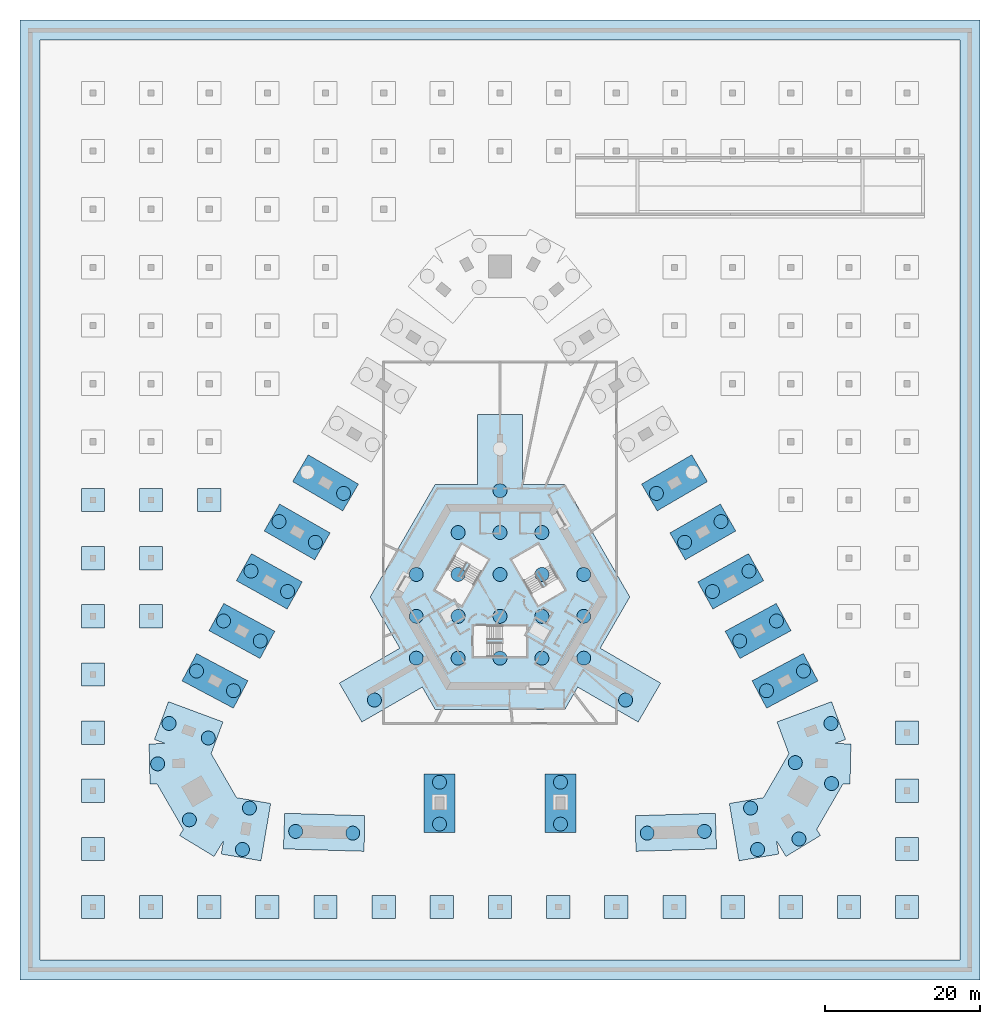
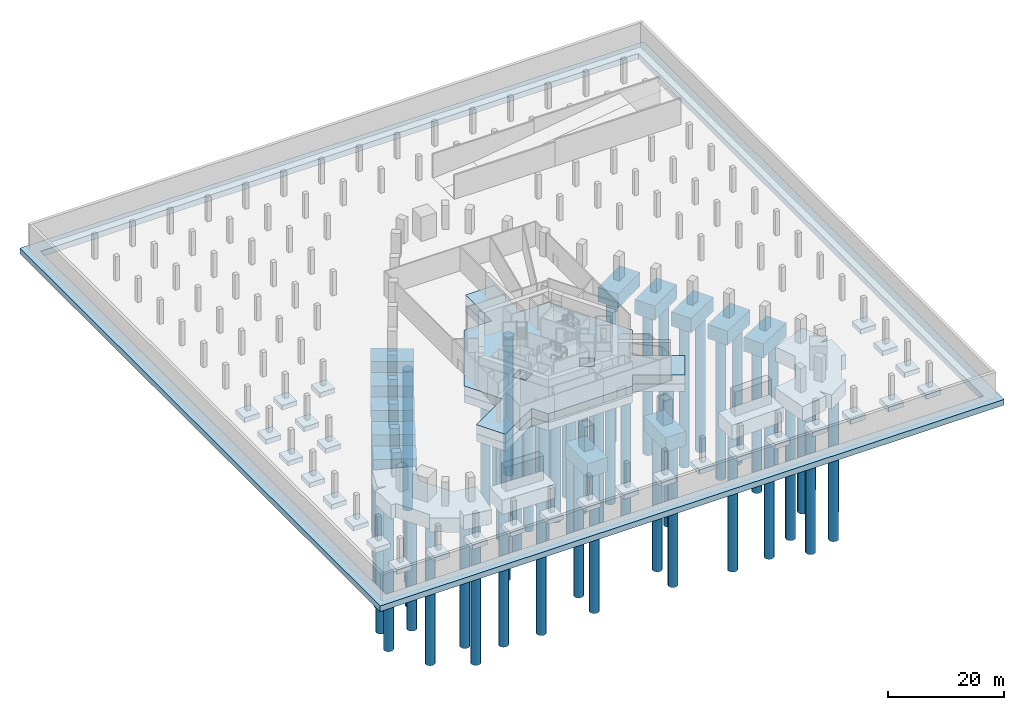
# One storey, part 1 of 14: 59 piles, 48 footings.
"""IFC4 building model written with IfcOpenShell, lengths in metres."""

from ifc_helpers import new_model, si_unit, direction, frame, origin, origin_2d, place, context, subcontext, project, spatial, polyline, circle, outline, extrude, material, layer, layer_set, material_profile, profile_set, type_object, element, save


model = new_model("IFC4")

# Units and contexts
model_context = context("Model", 3, precision=1e-05, world=origin(), true_north=direction((0.0, 1.0)))
body_context = subcontext(model_context, "Body", "Model", "MODEL_VIEW")
ifc_project = project(units=[si_unit("LENGTHUNIT", "METRE"), si_unit("AREAUNIT", "SQUARE_METRE"), si_unit("VOLUMEUNIT", "CUBIC_METRE"), si_unit("PLANEANGLEUNIT", "RADIAN"), si_unit("MASSUNIT", "GRAM", prefix="KILO")], contexts=[model_context])

# Site, building, storey
site_placement = place(None, origin())
site = spatial("IfcSite", under=ifc_project, at=site_placement, CompositionType="ELEMENT")
building_placement = place(site_placement, origin())
building = spatial("IfcBuilding", under=site, at=building_placement, Name="Entoto Arch Interchange Tower", CompositionType="ELEMENT")
storey_placement = place(building_placement, frame((0.0, 0.0, -16.5)))
storey = spatial("IfcBuildingStorey", under=building, at=storey_placement, Name="B3", CompositionType="ELEMENT", Elevation=-16.5)

# Piles
ifc_material = material(Name="Concrete C35/45", Category="concrete")
ifc_material_profile = material_profile(ifc_material, circle(Radius=0.89990234375, at=origin_2d()))
ifc_profile_set = profile_set([ifc_material_profile], Name="Concrete C35/45")
pile_type = type_object("IfcPileType", Name="Bored pile D1800 C35/45", PredefinedType="BORED", material=ifc_profile_set)
for number, where, z_axis, x_axis, name in (
    (1, (-16.199951171875, -10.800048828125, -3.35009765625), (0.0, 0.0, -1.0), (1.0, 0.0, 0.0), "Bored pile P001 (RAFT)"),
    (2, (16.199951171875, -10.800048828125, -3.35009765625), (0.0, 0.0, -1.0), (1.0, 0.0, 0.0), "Bored pile P002 (RAFT)"),
    (3, (-10.800048828125, -5.39990234375, -3.35009765625), (0.0, 0.0, -1.0), (1.0, 0.0, 0.0), "Bored pile P003 (RAFT)"),
    (4, (-5.39990234375, -5.39990234375, -3.35009765625), (0.0, 0.0, -1.0), (1.0, 0.0, 0.0), "Bored pile P004 (RAFT)"),
    (5, (0.0, -5.39990234375, -3.35009765625), (0.0, 0.0, -1.0), (1.0, 0.0, 0.0), "Bored pile P005 (RAFT)"),
    (6, (5.39990234375, -5.39990234375, -3.35009765625), (0.0, 0.0, -1.0), (1.0, 0.0, 0.0), "Bored pile P006 (RAFT)"),
    (7, (10.800048828125, -5.39990234375, -3.35009765625), (0.0, 0.0, -1.0), (1.0, 0.0, 0.0), "Bored pile P007 (RAFT)"),
    (8, (-10.800048828125, 0.0, -3.35009765625), (0.0, 0.0, -1.0), (1.0, 0.0, 0.0), "Bored pile P008 (RAFT)"),
    (9, (-5.39990234375, 0.0, -3.35009765625), (0.0, 0.0, -1.0), (1.0, 0.0, 0.0), "Bored pile P009 (RAFT)"),
    (10, (0.0, 0.0, -3.35009765625), (0.0, 0.0, -1.0), (1.0, 0.0, 0.0), "Bored pile P010 (RAFT)"),
    (11, (5.39990234375, 0.0, -3.35009765625), (0.0, 0.0, -1.0), (1.0, 0.0, 0.0), "Bored pile P011 (RAFT)"),
    (12, (10.800048828125, 0.0, -3.35009765625), (0.0, 0.0, -1.0), (1.0, 0.0, 0.0), "Bored pile P012 (RAFT)"),
    (13, (-10.800048828125, 5.39990234375, -3.35009765625), (0.0, 0.0, -1.0), (1.0, 0.0, 0.0), "Bored pile P013 (RAFT)"),
    (14, (-5.39990234375, 5.39990234375, -3.35009765625), (0.0, 0.0, -1.0), (1.0, 0.0, 0.0), "Bored pile P014 (RAFT)"),
    (15, (0.0, 5.39990234375, -3.35009765625), (0.0, 0.0, -1.0), (1.0, 0.0, 0.0), "Bored pile P015 (RAFT)"),
    (16, (5.39990234375, 5.39990234375, -3.35009765625), (0.0, 0.0, -1.0), (1.0, 0.0, 0.0), "Bored pile P016 (RAFT)"),
    (17, (10.800048828125, 5.39990234375, -3.35009765625), (0.0, 0.0, -1.0), (1.0, 0.0, 0.0), "Bored pile P017 (RAFT)"),
    (18, (-5.39990234375, 10.800048828125, -3.35009765625), (0.0, 0.0, -1.0), (1.0, 0.0, 0.0), "Bored pile P018 (RAFT)"),
    (19, (0.0, 10.800048828125, -3.35009765625), (0.0, 0.0, -1.0), (1.0, 0.0, 0.0), "Bored pile P019 (RAFT)"),
    (20, (5.39990234375, 10.800048828125, -3.35009765625), (0.0, 0.0, -1.0), (1.0, 0.0, 0.0), "Bored pile P020 (RAFT)"),
    (21, (0.0, 16.199951171875, -3.35009765625), (0.0, 0.0, -1.0), (1.0, 0.0, 0.0), "Bored pile P021 (RAFT)"),
):
    element("IfcPile", number, at=place(storey_placement, frame(where, z_axis=z_axis, x_axis=x_axis)), inside=storey, type_object=pile_type, Name=name, PredefinedType="BORED", context=body_context, shape_type="SweptSolid", body=[
        extrude(circle(Radius=0.89990234375, at=origin_2d()), origin(), (0.0, 0.0, 1.0), 29.14990234375),
    ])
for number, where, z_axis, x_axis, name in (
    (22, (32.31103515625, -24.735107421875, -3.25), (0.0, 0.0, -1.0), (1.0, 0.0, 0.0), "Bored pile P029 (CAP-SE)"),
    (23, (33.2109375, -30.05908203125, -3.25), (0.0, 0.0, -1.0), (1.0, 0.0, 0.0), "Bored pile P030 (CAP-SE)"),
    (24, (38.553955078125, -28.718017578125, -3.25), (0.0, 0.0, -1.0), (1.0, 0.0, 0.0), "Bored pile P031 (CAP-SE)"),
    (25, (38.0810546875, -18.867919921875, -3.25), (0.0, 0.0, -1.0), (1.0, 0.0, 0.0), "Bored pile P032 (CAP-SE)"),
    (26, (42.757080078125, -21.568115234375, -3.25), (0.0, 0.0, -1.0), (1.0, 0.0, 0.0), "Bored pile P033 (CAP-SE)"),
    (27, (42.677978515625, -13.81103515625, -3.25), (0.0, 0.0, -1.0), (1.0, 0.0, 0.0), "Bored pile P034 (CAP-SE)"),
    (28, (-32.31103515625, -24.735107421875, -3.25), (0.0, 0.0, -1.0), (1.0, 0.0, 0.0), "Bored pile P035 (CAP-SW)"),
    (29, (-33.2109375, -30.05908203125, -3.25), (0.0, 0.0, -1.0), (1.0, 0.0, 0.0), "Bored pile P036 (CAP-SW)"),
    (30, (-37.615966796875, -15.69091796875, -3.25), (0.0, 0.0, -1.0), (1.0, 0.0, 0.0), "Bored pile P037 (CAP-SW)"),
    (31, (-42.677978515625, -13.81103515625, -3.25), (0.0, 0.0, -1.0), (1.0, 0.0, 0.0), "Bored pile P038 (CAP-SW)"),
    (32, (-44.14697265625, -19.030029296875, -3.25), (0.0, 0.0, -1.0), (1.0, 0.0, 0.0), "Bored pile P039 (CAP-SW)"),
    (33, (-40.056884765625, -26.243896484375, -3.25), (0.0, 0.0, -1.0), (1.0, 0.0, 0.0), "Bored pile P040 (CAP-SW)"),
    (34, (7.800048828125, -21.39990234375, -3.25), (0.0, 0.0, -1.0), (1.0, 0.0, 0.0), "Bored pile P041 (CAP-ARC-E)"),
    (35, (7.800048828125, -26.800048828125, -3.25), (0.0, 0.0, -1.0), (1.0, 0.0, 0.0), "Bored pile P042 (CAP-ARC-E)"),
    (36, (-7.800048828125, -21.39990234375, -3.25), (0.0, 0.0, -1.0), (1.0, 0.0, 0.0), "Bored pile P043 (CAP-ARC-W)"),
    (37, (-7.800048828125, -26.800048828125, -3.25), (0.0, 0.0, -1.0), (1.0, 0.0, 0.0), "Bored pile P044 (CAP-ARC-W)"),
    (38, (34.368896484375, -9.592041015625, -3.25), (0.0, 0.0, -1.0), (1.0, 0.0, 0.0), "Bored pile P045 (CAP-NE02)"),
    (39, (39.136962890625, -7.05810546875, -3.25), (0.0, 0.0, -1.0), (1.0, 0.0, 0.0), "Bored pile P046 (CAP-NE02)"),
    (40, (30.912109375, -3.179931640625, -3.25), (0.0, 0.0, -1.0), (1.0, 0.0, 0.0), "Bored pile P047 (CAP-NE03)"),
    (41, (35.654052734375, -0.597900390625, -3.25), (0.0, 0.0, -1.0), (1.0, 0.0, 0.0), "Bored pile P048 (CAP-NE03)"),
    (42, (27.39208984375, 3.197021484375, -3.25), (0.0, 0.0, -1.0), (1.0, 0.0, 0.0), "Bored pile P049 (CAP-NE04)"),
    (43, (32.10791015625, 5.826904296875, -3.25), (0.0, 0.0, -1.0), (1.0, 0.0, 0.0), "Bored pile P050 (CAP-NE04)"),
    (44, (23.81005859375, 9.5419921875, -3.25), (0.0, 0.0, -1.0), (1.0, 0.0, 0.0), "Bored pile P051 (CAP-NE05)"),
    (45, (28.5, 12.218017578125, -3.25), (0.0, 0.0, -1.0), (1.0, 0.0, 0.0), "Bored pile P052 (CAP-NE05)"),
    (46, (20.1689453125, 15.84912109375, -3.25), (0.0, 0.0, -1.0), (1.0, 0.0, 0.0), "Bored pile P053 (CAP-NE06)"),
    (47, (-20.1689453125, 15.84912109375, -3.25), (0.0, 0.0, -1.0), (1.0, 0.0, 0.0), "Bored pile P067 (CAP-NW05)"),
    (48, (-23.81005859375, 9.5419921875, -3.25), (0.0, 0.0, -1.0), (1.0, 0.0, 0.0), "Bored pile P069 (CAP-NW06)"),
    (49, (-28.5, 12.218017578125, -3.25), (0.0, 0.0, -1.0), (1.0, 0.0, 0.0), "Bored pile P070 (CAP-NW06)"),
    (50, (-27.39208984375, 3.197021484375, -3.25), (0.0, 0.0, -1.0), (1.0, 0.0, 0.0), "Bored pile P071 (CAP-NW07)"),
    (51, (-32.10791015625, 5.826904296875, -3.25), (0.0, 0.0, -1.0), (1.0, 0.0, 0.0), "Bored pile P072 (CAP-NW07)"),
    (52, (-30.912109375, -3.179931640625, -3.25), (0.0, 0.0, -1.0), (1.0, 0.0, 0.0), "Bored pile P073 (CAP-NW08)"),
    (53, (-35.654052734375, -0.597900390625, -3.25), (0.0, 0.0, -1.0), (1.0, 0.0, 0.0), "Bored pile P074 (CAP-NW08)"),
    (54, (-34.368896484375, -9.592041015625, -3.25), (0.0, 0.0, -1.0), (1.0, 0.0, 0.0), "Bored pile P075 (CAP-NW09)"),
    (55, (-39.136962890625, -7.05810546875, -3.25), (0.0, 0.0, -1.0), (1.0, 0.0, 0.0), "Bored pile P076 (CAP-NW09)"),
    (56, (-26.34912109375, -27.739990234375, -3.25), (0.0, 0.0, -1.0), (1.0, 0.0, 0.0), "Bored pile P077 (CAP-LEG-W)"),
    (57, (-18.988037109375, -27.9619140625, -3.25), (0.0, 0.0, -1.0), (1.0, 0.0, 0.0), "Bored pile P078 (CAP-LEG-W)"),
    (58, (18.988037109375, -27.9619140625, -3.25), (0.0, 0.0, -1.0), (1.0, 0.0, 0.0), "Bored pile P079 (CAP-LEG-E)"),
    (59, (26.34912109375, -27.739990234375, -3.25), (0.0, 0.0, -1.0), (1.0, 0.0, 0.0), "Bored pile P080 (CAP-LEG-E)"),
):
    element("IfcPile", number, at=place(storey_placement, frame(where, z_axis=z_axis, x_axis=x_axis)), inside=storey, type_object=pile_type, Name=name, PredefinedType="BORED", context=body_context, shape_type="SweptSolid", body=[
        extrude(circle(Radius=0.89990234375, at=origin_2d()), origin(), (0.0, 0.0, 1.0), 29.25),
    ])

# Footings
ifc_layer_1 = layer(ifc_material, 1.0)
ifc_layer_set_1 = layer_set([ifc_layer_1], Name="Concrete C35/45")
footing_type_1 = type_object("IfcFootingType", Name="Pad footing 3000 C35/45", PredefinedType="PAD_FOOTING", material=ifc_layer_set_1)
footing_1_placement = place(storey_placement, frame((0.0, 0.0, -1.39990234375)))
element("IfcFooting", 60, at=footing_1_placement, inside=storey, type_object=footing_type_1, Name="Pad footing -52.5 -37.5", PredefinedType="PAD_FOOTING", context=body_context, shape_type="SweptSolid", body=[
    extrude(outline(polyline([(-51.0, -39.0), (-51.0, -36.0), (-54.0, -36.0), (-54.0, -39.0), (-51.0, -39.0)])), origin(), (0.0, 0.0, 1.0), 1.0),
])
footing_2_placement = place(storey_placement, frame((0.0, 0.0, -1.39990234375)))
element("IfcFooting", 61, at=footing_2_placement, inside=storey, type_object=footing_type_1, Name="Pad footing -52.5 -30.0", PredefinedType="PAD_FOOTING", context=body_context, shape_type="SweptSolid", body=[
    extrude(outline(polyline([(-51.0, -31.5), (-51.0, -28.5), (-54.0, -28.5), (-54.0, -31.5), (-51.0, -31.5)])), origin(), (0.0, 0.0, 1.0), 1.0),
])
footing_3_placement = place(storey_placement, frame((0.0, 0.0, -1.39990234375)))
element("IfcFooting", 62, at=footing_3_placement, inside=storey, type_object=footing_type_1, Name="Pad footing -52.5 -22.5", PredefinedType="PAD_FOOTING", context=body_context, shape_type="SweptSolid", body=[
    extrude(outline(polyline([(-51.0, -24.0), (-51.0, -21.0), (-54.0, -21.0), (-54.0, -24.0), (-51.0, -24.0)])), origin(), (0.0, 0.0, 1.0), 1.0),
])
footing_4_placement = place(storey_placement, frame((0.0, 0.0, -1.39990234375)))
element("IfcFooting", 63, at=footing_4_placement, inside=storey, type_object=footing_type_1, Name="Pad footing -52.5 -15.0", PredefinedType="PAD_FOOTING", context=body_context, shape_type="SweptSolid", body=[
    extrude(outline(polyline([(-51.0, -16.5), (-51.0, -13.5), (-54.0, -13.5), (-54.0, -16.5), (-51.0, -16.5)])), origin(), (0.0, 0.0, 1.0), 1.0),
])
footing_5_placement = place(storey_placement, frame((0.0, 0.0, -1.39990234375)))
element("IfcFooting", 64, at=footing_5_placement, inside=storey, type_object=footing_type_1, Name="Pad footing -52.5 -7.5", PredefinedType="PAD_FOOTING", context=body_context, shape_type="SweptSolid", body=[
    extrude(outline(polyline([(-51.0, -9.0), (-51.0, -6.0), (-54.0, -6.0), (-54.0, -9.0), (-51.0, -9.0)])), origin(), (0.0, 0.0, 1.0), 1.0),
])
footing_6_placement = place(storey_placement, frame((0.0, 0.0, -1.39990234375)))
element("IfcFooting", 65, at=footing_6_placement, inside=storey, type_object=footing_type_1, Name="Pad footing -52.5 +0.0", PredefinedType="PAD_FOOTING", context=body_context, shape_type="SweptSolid", body=[
    extrude(outline(polyline([(-51.0, -1.5), (-51.0, 1.5), (-54.0, 1.5), (-54.0, -1.5), (-51.0, -1.5)])), origin(), (0.0, 0.0, 1.0), 1.0),
])
footing_7_placement = place(storey_placement, frame((0.0, 0.0, -1.39990234375)))
element("IfcFooting", 66, at=footing_7_placement, inside=storey, type_object=footing_type_1, Name="Pad footing -52.5 +7.5", PredefinedType="PAD_FOOTING", context=body_context, shape_type="SweptSolid", body=[
    extrude(outline(polyline([(-51.0, 6.0), (-51.0, 9.0), (-54.0, 9.0), (-54.0, 6.0), (-51.0, 6.0)])), origin(), (0.0, 0.0, 1.0), 1.0),
])
footing_8_placement = place(storey_placement, frame((0.0, 0.0, -1.39990234375)))
element("IfcFooting", 67, at=footing_8_placement, inside=storey, type_object=footing_type_1, Name="Pad footing -52.5 +15.0", PredefinedType="PAD_FOOTING", context=body_context, shape_type="SweptSolid", body=[
    extrude(outline(polyline([(-51.0, 13.5), (-51.0, 16.5), (-54.0, 16.5), (-54.0, 13.5), (-51.0, 13.5)])), origin(), (0.0, 0.0, 1.0), 1.0),
])
footing_9_placement = place(storey_placement, frame((0.0, 0.0, -1.39990234375)))
element("IfcFooting", 68, at=footing_9_placement, inside=storey, type_object=footing_type_1, Name="Pad footing -45.0 -37.5", PredefinedType="PAD_FOOTING", context=body_context, shape_type="SweptSolid", body=[
    extrude(outline(polyline([(-43.5, -39.0), (-43.5, -36.0), (-46.5, -36.0), (-46.5, -39.0), (-43.5, -39.0)])), origin(), (0.0, 0.0, 1.0), 1.0),
])
footing_10_placement = place(storey_placement, frame((0.0, 0.0, -1.39990234375)))
element("IfcFooting", 69, at=footing_10_placement, inside=storey, type_object=footing_type_1, Name="Pad footing -45.0 +0.0", PredefinedType="PAD_FOOTING", context=body_context, shape_type="SweptSolid", body=[
    extrude(outline(polyline([(-43.5, -1.5), (-43.5, 1.5), (-46.5, 1.5), (-46.5, -1.5), (-43.5, -1.5)])), origin(), (0.0, 0.0, 1.0), 1.0),
])
footing_11_placement = place(storey_placement, frame((0.0, 0.0, -1.39990234375)))
element("IfcFooting", 70, at=footing_11_placement, inside=storey, type_object=footing_type_1, Name="Pad footing -45.0 +7.5", PredefinedType="PAD_FOOTING", context=body_context, shape_type="SweptSolid", body=[
    extrude(outline(polyline([(-43.5, 6.0), (-43.5, 9.0), (-46.5, 9.0), (-46.5, 6.0), (-43.5, 6.0)])), origin(), (0.0, 0.0, 1.0), 1.0),
])
footing_12_placement = place(storey_placement, frame((0.0, 0.0, -1.39990234375)))
element("IfcFooting", 71, at=footing_12_placement, inside=storey, type_object=footing_type_1, Name="Pad footing -45.0 +15.0", PredefinedType="PAD_FOOTING", context=body_context, shape_type="SweptSolid", body=[
    extrude(outline(polyline([(-43.5, 13.5), (-43.5, 16.5), (-46.5, 16.5), (-46.5, 13.5), (-43.5, 13.5)])), origin(), (0.0, 0.0, 1.0), 1.0),
])
footing_13_placement = place(storey_placement, frame((0.0, 0.0, -1.39990234375)))
element("IfcFooting", 72, at=footing_13_placement, inside=storey, type_object=footing_type_1, Name="Pad footing -37.5 -37.5", PredefinedType="PAD_FOOTING", context=body_context, shape_type="SweptSolid", body=[
    extrude(outline(polyline([(-36.0, -39.0), (-36.0, -36.0), (-39.0, -36.0), (-39.0, -39.0), (-36.0, -39.0)])), origin(), (0.0, 0.0, 1.0), 1.0),
])
footing_14_placement = place(storey_placement, frame((0.0, 0.0, -1.39990234375)))
element("IfcFooting", 73, at=footing_14_placement, inside=storey, type_object=footing_type_1, Name="Pad footing -37.5 +15.0", PredefinedType="PAD_FOOTING", context=body_context, shape_type="SweptSolid", body=[
    extrude(outline(polyline([(-36.0, 13.5), (-36.0, 16.5), (-39.0, 16.5), (-39.0, 13.5), (-36.0, 13.5)])), origin(), (0.0, 0.0, 1.0), 1.0),
])
footing_15_placement = place(storey_placement, frame((0.0, 0.0, -1.39990234375)))
element("IfcFooting", 74, at=footing_15_placement, inside=storey, type_object=footing_type_1, Name="Pad footing -30.0 -37.5", PredefinedType="PAD_FOOTING", context=body_context, shape_type="SweptSolid", body=[
    extrude(outline(polyline([(-28.5, -39.0), (-28.5, -36.0), (-31.5, -36.0), (-31.5, -39.0), (-28.5, -39.0)])), origin(), (0.0, 0.0, 1.0), 1.0),
])
footing_16_placement = place(storey_placement, frame((0.0, 0.0, -1.39990234375)))
element("IfcFooting", 75, at=footing_16_placement, inside=storey, type_object=footing_type_1, Name="Pad footing -22.5 -37.5", PredefinedType="PAD_FOOTING", context=body_context, shape_type="SweptSolid", body=[
    extrude(outline(polyline([(-21.0, -39.0), (-21.0, -36.0), (-24.0, -36.0), (-24.0, -39.0), (-21.0, -39.0)])), origin(), (0.0, 0.0, 1.0), 1.0),
])
footing_17_placement = place(storey_placement, frame((0.0, 0.0, -1.39990234375)))
element("IfcFooting", 76, at=footing_17_placement, inside=storey, type_object=footing_type_1, Name="Pad footing -15.0 -37.5", PredefinedType="PAD_FOOTING", context=body_context, shape_type="SweptSolid", body=[
    extrude(outline(polyline([(-13.5, -39.0), (-13.5, -36.0), (-16.5, -36.0), (-16.5, -39.0), (-13.5, -39.0)])), origin(), (0.0, 0.0, 1.0), 1.0),
])
footing_18_placement = place(storey_placement, frame((0.0, 0.0, -1.39990234375)))
element("IfcFooting", 77, at=footing_18_placement, inside=storey, type_object=footing_type_1, Name="Pad footing -7.5 -37.5", PredefinedType="PAD_FOOTING", context=body_context, shape_type="SweptSolid", body=[
    extrude(outline(polyline([(-6.0, -39.0), (-6.0, -36.0), (-9.0, -36.0), (-9.0, -39.0), (-6.0, -39.0)])), origin(), (0.0, 0.0, 1.0), 1.0),
])
footing_19_placement = place(storey_placement, frame((0.0, 0.0, -1.39990234375)))
element("IfcFooting", 78, at=footing_19_placement, inside=storey, type_object=footing_type_1, Name="Pad footing +0.0 -37.5", PredefinedType="PAD_FOOTING", context=body_context, shape_type="SweptSolid", body=[
    extrude(outline(polyline([(1.5, -39.0), (1.5, -36.0), (-1.5, -36.0), (-1.5, -39.0), (1.5, -39.0)])), origin(), (0.0, 0.0, 1.0), 1.0),
])
footing_20_placement = place(storey_placement, frame((0.0, 0.0, -1.39990234375)))
element("IfcFooting", 79, at=footing_20_placement, inside=storey, type_object=footing_type_1, Name="Pad footing +7.5 -37.5", PredefinedType="PAD_FOOTING", context=body_context, shape_type="SweptSolid", body=[
    extrude(outline(polyline([(9.0, -39.0), (9.0, -36.0), (6.0, -36.0), (6.0, -39.0), (9.0, -39.0)])), origin(), (0.0, 0.0, 1.0), 1.0),
])
footing_21_placement = place(storey_placement, frame((0.0, 0.0, -1.39990234375)))
element("IfcFooting", 80, at=footing_21_placement, inside=storey, type_object=footing_type_1, Name="Pad footing +15.0 -37.5", PredefinedType="PAD_FOOTING", context=body_context, shape_type="SweptSolid", body=[
    extrude(outline(polyline([(16.5, -39.0), (16.5, -36.0), (13.5, -36.0), (13.5, -39.0), (16.5, -39.0)])), origin(), (0.0, 0.0, 1.0), 1.0),
])
footing_22_placement = place(storey_placement, frame((0.0, 0.0, -1.39990234375)))
element("IfcFooting", 81, at=footing_22_placement, inside=storey, type_object=footing_type_1, Name="Pad footing +22.5 -37.5", PredefinedType="PAD_FOOTING", context=body_context, shape_type="SweptSolid", body=[
    extrude(outline(polyline([(24.0, -39.0), (24.0, -36.0), (21.0, -36.0), (21.0, -39.0), (24.0, -39.0)])), origin(), (0.0, 0.0, 1.0), 1.0),
])
footing_23_placement = place(storey_placement, frame((0.0, 0.0, -1.39990234375)))
element("IfcFooting", 82, at=footing_23_placement, inside=storey, type_object=footing_type_1, Name="Pad footing +30.0 -37.5", PredefinedType="PAD_FOOTING", context=body_context, shape_type="SweptSolid", body=[
    extrude(outline(polyline([(31.5, -39.0), (31.5, -36.0), (28.5, -36.0), (28.5, -39.0), (31.5, -39.0)])), origin(), (0.0, 0.0, 1.0), 1.0),
])
footing_24_placement = place(storey_placement, frame((0.0, 0.0, -1.39990234375)))
element("IfcFooting", 83, at=footing_24_placement, inside=storey, type_object=footing_type_1, Name="Pad footing +37.5 -37.5", PredefinedType="PAD_FOOTING", context=body_context, shape_type="SweptSolid", body=[
    extrude(outline(polyline([(39.0, -39.0), (39.0, -36.0), (36.0, -36.0), (36.0, -39.0), (39.0, -39.0)])), origin(), (0.0, 0.0, 1.0), 1.0),
])
footing_25_placement = place(storey_placement, frame((0.0, 0.0, -1.39990234375)))
element("IfcFooting", 84, at=footing_25_placement, inside=storey, type_object=footing_type_1, Name="Pad footing +45.0 -37.5", PredefinedType="PAD_FOOTING", context=body_context, shape_type="SweptSolid", body=[
    extrude(outline(polyline([(46.5, -39.0), (46.5, -36.0), (43.5, -36.0), (43.5, -39.0), (46.5, -39.0)])), origin(), (0.0, 0.0, 1.0), 1.0),
])
footing_26_placement = place(storey_placement, frame((0.0, 0.0, -1.39990234375)))
element("IfcFooting", 85, at=footing_26_placement, inside=storey, type_object=footing_type_1, Name="Pad footing +52.5 -37.5", PredefinedType="PAD_FOOTING", context=body_context, shape_type="SweptSolid", body=[
    extrude(outline(polyline([(54.0, -39.0), (54.0, -36.0), (51.0, -36.0), (51.0, -39.0), (54.0, -39.0)])), origin(), (0.0, 0.0, 1.0), 1.0),
])
footing_27_placement = place(storey_placement, frame((0.0, 0.0, -1.39990234375)))
element("IfcFooting", 86, at=footing_27_placement, inside=storey, type_object=footing_type_1, Name="Pad footing +52.5 -30.0", PredefinedType="PAD_FOOTING", context=body_context, shape_type="SweptSolid", body=[
    extrude(outline(polyline([(54.0, -31.5), (54.0, -28.5), (51.0, -28.5), (51.0, -31.5), (54.0, -31.5)])), origin(), (0.0, 0.0, 1.0), 1.0),
])
footing_28_placement = place(storey_placement, frame((0.0, 0.0, -1.39990234375)))
element("IfcFooting", 87, at=footing_28_placement, inside=storey, type_object=footing_type_1, Name="Pad footing +52.5 -22.5", PredefinedType="PAD_FOOTING", context=body_context, shape_type="SweptSolid", body=[
    extrude(outline(polyline([(54.0, -24.0), (54.0, -21.0), (51.0, -21.0), (51.0, -24.0), (54.0, -24.0)])), origin(), (0.0, 0.0, 1.0), 1.0),
])
footing_29_placement = place(storey_placement, frame((0.0, 0.0, -1.39990234375)))
element("IfcFooting", 88, at=footing_29_placement, inside=storey, type_object=footing_type_1, Name="Pad footing +52.5 -15.0", PredefinedType="PAD_FOOTING", context=body_context, shape_type="SweptSolid", body=[
    extrude(outline(polyline([(54.0, -16.5), (54.0, -13.5), (51.0, -13.5), (51.0, -16.5), (54.0, -16.5)])), origin(), (0.0, 0.0, 1.0), 1.0),
])
ifc_layer_2 = layer(ifc_material, 3.0)
ifc_layer_set_2 = layer_set([ifc_layer_2], Name="Concrete C35/45")
footing_type_2 = type_object("IfcFootingType", Name="Pile cap 3000 C35/45", PredefinedType="PILE_CAP", material=ifc_layer_set_2)
footing_30_placement = place(storey_placement, frame((0.0, 0.0, -3.39990234375)))
element("IfcFooting", 89, at=footing_30_placement, inside=storey, type_object=footing_type_2, Name="Pile cap CAP-SE", PredefinedType="PILE_CAP", context=body_context, shape_type="SweptSolid", body=[
    extrude(outline(polyline([(35.949951171875, -30.660888671875), (35.6630859375, -28.968017578125), (36.8779296875, -30.966064453125), (41.322021484375, -28.264892578125), (40.844970703125, -27.47998046875), (44.220947265625, -21.632080078125), (45.137939453125, -21.653076171875), (45.256103515625, -16.4541015625), (43.156005859375, -16.406982421875), (44.568115234375, -15.882080078125), (42.757080078125, -11.008056640625), (35.72607421875, -13.6201171875), (37.2470703125, -17.7119140625), (33.968994140625, -23.389892578125), (29.572021484375, -24.133056640625), (30.822998046875, -31.528076171875), (35.949951171875, -30.660888671875)])), origin(), (0.0, 0.0, 1.0), 3.0),
])
footing_31_placement = place(storey_placement, frame((0.0, 0.0, -3.39990234375)))
element("IfcFooting", 90, at=footing_31_placement, inside=storey, type_object=footing_type_2, Name="Pile cap CAP-SW", PredefinedType="PILE_CAP", context=body_context, shape_type="SweptSolid", body=[
    extrude(outline(polyline([(-33.968994140625, -23.389892578125), (-37.2470703125, -17.7119140625), (-35.72607421875, -13.6201171875), (-42.757080078125, -11.008056640625), (-44.568115234375, -15.882080078125), (-43.156005859375, -16.406982421875), (-45.256103515625, -16.4541015625), (-45.137939453125, -21.653076171875), (-44.220947265625, -21.632080078125), (-40.844970703125, -27.47998046875), (-41.322021484375, -28.264892578125), (-36.8779296875, -30.966064453125), (-35.6630859375, -28.968017578125), (-35.949951171875, -30.660888671875), (-30.822998046875, -31.528076171875), (-29.572021484375, -24.133056640625), (-33.968994140625, -23.389892578125)])), origin(), (0.0, 0.0, 1.0), 3.0),
])
footing_32_placement = place(storey_placement, frame((0.0, 0.0, -3.39990234375)))
element("IfcFooting", 91, at=footing_32_placement, inside=storey, type_object=footing_type_2, Name="Pile cap CAP-ARC-E", PredefinedType="PILE_CAP", context=body_context, shape_type="SweptSolid", body=[
    extrude(outline(polyline([(9.800048828125, -27.85009765625), (9.800048828125, -20.35009765625), (5.800048828125, -20.35009765625), (5.800048828125, -27.85009765625), (9.800048828125, -27.85009765625)])), origin(), (0.0, 0.0, 1.0), 3.0),
])
footing_33_placement = place(storey_placement, frame((0.0, 0.0, -3.39990234375)))
element("IfcFooting", 92, at=footing_33_placement, inside=storey, type_object=footing_type_2, Name="Pile cap CAP-ARC-W", PredefinedType="PILE_CAP", context=body_context, shape_type="SweptSolid", body=[
    extrude(outline(polyline([(-5.800048828125, -27.85009765625), (-5.800048828125, -20.35009765625), (-9.800048828125, -20.35009765625), (-9.800048828125, -27.85009765625), (-5.800048828125, -27.85009765625)])), origin(), (0.0, 0.0, 1.0), 3.0),
])
footing_34_placement = place(storey_placement, frame((0.0, 0.0, -3.39990234375)))
element("IfcFooting", 93, at=footing_34_placement, inside=storey, type_object=footing_type_2, Name="Pile cap CAP-NE02", PredefinedType="PILE_CAP", context=body_context, shape_type="SweptSolid", body=[
    extrude(outline(polyline([(39.1259765625, -4.799072265625), (32.5029296875, -8.319091796875), (34.3798828125, -11.85107421875), (41.0029296875, -8.3310546875), (39.1259765625, -4.799072265625)])), origin(), (0.0, 0.0, 1.0), 3.0),
])
footing_35_placement = place(storey_placement, frame((0.0, 0.0, -3.39990234375)))
element("IfcFooting", 94, at=footing_35_placement, inside=storey, type_object=footing_type_2, Name="Pile cap CAP-NE03", PredefinedType="PILE_CAP", context=body_context, shape_type="SweptSolid", body=[
    extrude(outline(polyline([(35.6201171875, 1.660888671875), (29.032958984375, -1.925048828125), (30.946044921875, -5.43896484375), (37.532958984375, -1.85302734375), (35.6201171875, 1.660888671875)])), origin(), (0.0, 0.0, 1.0), 3.0),
])
footing_36_placement = place(storey_placement, frame((0.0, 0.0, -3.39990234375)))
element("IfcFooting", 95, at=footing_36_placement, inside=storey, type_object=footing_type_2, Name="Pile cap CAP-NE04", PredefinedType="PILE_CAP", context=body_context, shape_type="SweptSolid", body=[
    extrude(outline(polyline([(32.052001953125, 8.0849609375), (25.5009765625, 4.43310546875), (27.447998046875, 0.93896484375), (33.9990234375, 4.591064453125), (32.052001953125, 8.0849609375)])), origin(), (0.0, 0.0, 1.0), 3.0),
])
footing_37_placement = place(storey_placement, frame((0.0, 0.0, -3.39990234375)))
element("IfcFooting", 96, at=footing_37_placement, inside=storey, type_object=footing_type_2, Name="Pile cap CAP-NE05", PredefinedType="PILE_CAP", context=body_context, shape_type="SweptSolid", body=[
    extrude(outline(polyline([(28.4208984375, 14.47607421875), (21.906982421875, 10.758056640625), (23.888916015625, 7.283935546875), (30.403076171875, 11.001953125), (28.4208984375, 14.47607421875)])), origin(), (0.0, 0.0, 1.0), 3.0),
])
footing_38_placement = place(storey_placement, frame((0.0, 0.0, -3.39990234375)))
element("IfcFooting", 97, at=footing_38_placement, inside=storey, type_object=footing_type_2, Name="Pile cap CAP-NE06", PredefinedType="PILE_CAP", context=body_context, shape_type="SweptSolid", body=[
    extrude(outline(polyline([(24.72998046875, 20.8291015625), (18.2529296875, 17.047119140625), (20.27001953125, 13.593017578125), (26.7470703125, 17.375), (24.72998046875, 20.8291015625)])), origin(), (0.0, 0.0, 1.0), 3.0),
])
footing_39_placement = place(storey_placement, frame((0.0, 0.0, -3.39990234375)))
element("IfcFooting", 98, at=footing_39_placement, inside=storey, type_object=footing_type_2, Name="Pile cap CAP-NW05", PredefinedType="PILE_CAP", context=body_context, shape_type="SweptSolid", body=[
    extrude(outline(polyline([(-26.7470703125, 17.375), (-20.27001953125, 13.593017578125), (-18.2529296875, 17.047119140625), (-24.72998046875, 20.8291015625), (-26.7470703125, 17.375)])), origin(), (0.0, 0.0, 1.0), 3.0),
])
footing_40_placement = place(storey_placement, frame((0.0, 0.0, -3.39990234375)))
element("IfcFooting", 99, at=footing_40_placement, inside=storey, type_object=footing_type_2, Name="Pile cap CAP-NW06", PredefinedType="PILE_CAP", context=body_context, shape_type="SweptSolid", body=[
    extrude(outline(polyline([(-30.403076171875, 11.001953125), (-23.888916015625, 7.283935546875), (-21.906982421875, 10.758056640625), (-28.4208984375, 14.47607421875), (-30.403076171875, 11.001953125)])), origin(), (0.0, 0.0, 1.0), 3.0),
])
footing_41_placement = place(storey_placement, frame((0.0, 0.0, -3.39990234375)))
element("IfcFooting", 100, at=footing_41_placement, inside=storey, type_object=footing_type_2, Name="Pile cap CAP-NW07", PredefinedType="PILE_CAP", context=body_context, shape_type="SweptSolid", body=[
    extrude(outline(polyline([(-33.9990234375, 4.591064453125), (-27.447998046875, 0.93896484375), (-25.5009765625, 4.43310546875), (-32.052001953125, 8.0849609375), (-33.9990234375, 4.591064453125)])), origin(), (0.0, 0.0, 1.0), 3.0),
])
footing_42_placement = place(storey_placement, frame((0.0, 0.0, -3.39990234375)))
element("IfcFooting", 101, at=footing_42_placement, inside=storey, type_object=footing_type_2, Name="Pile cap CAP-NW08", PredefinedType="PILE_CAP", context=body_context, shape_type="SweptSolid", body=[
    extrude(outline(polyline([(-37.532958984375, -1.85302734375), (-30.946044921875, -5.43896484375), (-29.032958984375, -1.925048828125), (-35.6201171875, 1.660888671875), (-37.532958984375, -1.85302734375)])), origin(), (0.0, 0.0, 1.0), 3.0),
])
footing_43_placement = place(storey_placement, frame((0.0, 0.0, -3.39990234375)))
element("IfcFooting", 102, at=footing_43_placement, inside=storey, type_object=footing_type_2, Name="Pile cap CAP-NW09", PredefinedType="PILE_CAP", context=body_context, shape_type="SweptSolid", body=[
    extrude(outline(polyline([(-41.0029296875, -8.3310546875), (-34.3798828125, -11.85107421875), (-32.5029296875, -8.319091796875), (-39.1259765625, -4.799072265625), (-41.0029296875, -8.3310546875)])), origin(), (0.0, 0.0, 1.0), 3.0),
])
footing_44_placement = place(storey_placement, frame((0.0, 0.0, -3.39990234375)))
element("IfcFooting", 103, at=footing_44_placement, inside=storey, type_object=footing_type_2, Name="Pile cap CAP-LEG-W", PredefinedType="PILE_CAP", context=body_context, shape_type="SweptSolid", body=[
    extrude(outline(polyline([(-17.52294921875, -30.306884765625), (-17.4541015625, -25.70703125), (-27.76806640625, -25.39697265625), (-27.928955078125, -29.993896484375), (-17.52294921875, -30.306884765625)])), origin(), (0.0, 0.0, 1.0), 3.0),
])
footing_45_placement = place(storey_placement, frame((0.0, 0.0, -3.39990234375)))
element("IfcFooting", 104, at=footing_45_placement, inside=storey, type_object=footing_type_2, Name="Pile cap CAP-LEG-E", PredefinedType="PILE_CAP", context=body_context, shape_type="SweptSolid", body=[
    extrude(outline(polyline([(27.928955078125, -29.993896484375), (27.76806640625, -25.39697265625), (17.4541015625, -25.70703125), (17.52294921875, -30.306884765625), (27.928955078125, -29.993896484375)])), origin(), (0.0, 0.0, 1.0), 3.0),
])
ifc_layer_3 = layer(ifc_material, 1.60009765625)
ifc_layer_set_3 = layer_set([ifc_layer_3], Name="Concrete C35/45")
footing_type_3 = type_object("IfcFootingType", Name="Piled raft lower lift 1600 C35/45", PredefinedType="PILE_CAP", material=ifc_layer_set_3)
footing_46_placement = place(storey_placement, frame((0.0, 0.0, -3.5)))
element("IfcFooting", 105, at=footing_46_placement, inside=storey, type_object=footing_type_3, Name="Piled raft", PredefinedType="PILE_CAP", context=body_context, shape_type="SweptSolid", body=[
    extrude(outline(polyline([(-20.718994140625, -8.614013671875), (-17.819091796875, -13.635986328125), (-10.02490234375, -9.135986328125), (-8.37109375, -12.0), (8.37109375, -12.0), (10.02490234375, -9.135986328125), (17.819091796875, -13.635986328125), (20.718994140625, -8.614013671875), (12.925048828125, -4.113037109375), (16.742919921875, 2.5), (8.37109375, 17.0), (2.89990234375, 17.0), (2.89990234375, 26.0), (-2.89990234375, 26.0), (-2.89990234375, 17.0), (-8.37109375, 17.0), (-16.742919921875, 2.5), (-12.925048828125, -4.113037109375), (-20.718994140625, -8.614013671875)])), origin(), (0.0, 0.0, 1.0), 1.60009765625),
])
ifc_layer_4 = layer(ifc_material, 1.89990234375)
ifc_layer_set_4 = layer_set([ifc_layer_4], Name="Concrete C35/45")
footing_type_4 = type_object("IfcFootingType", Name="Piled raft upper course 1900 C35/45", PredefinedType="PILE_CAP", material=ifc_layer_set_4)
footing_47_placement = place(storey_placement, frame((0.0, 0.0, -1.89990234375)))
element("IfcFooting", 106, at=footing_47_placement, inside=storey, type_object=footing_type_4, Name="Piled raft upper course", PredefinedType="PILE_CAP", context=body_context, shape_type="SweptSolid", body=[
    extrude(outline(polyline([(-12.925048828125, -4.113037109375), (-20.718994140625, -8.614013671875), (-17.819091796875, -13.635986328125), (-10.02490234375, -9.135986328125), (-8.37109375, -12.0), (8.37109375, -12.0), (10.02490234375, -9.135986328125), (17.819091796875, -13.635986328125), (20.718994140625, -8.614013671875), (12.925048828125, -4.113037109375), (16.742919921875, 2.5), (8.37109375, 17.0), (2.89990234375, 17.0), (2.89990234375, 26.0), (-2.89990234375, 26.0), (-2.89990234375, 17.0), (-8.37109375, 17.0), (-16.742919921875, 2.5), (-12.925048828125, -4.113037109375)]), holes=[polyline([(3.303955078125, -2.39794921875), (5.5380859375, -3.68798828125), (6.827880859375, -1.4541015625), (4.593994140625, -0.1640625), (3.303955078125, -2.39794921875)]), polyline([(-5.89404296875, 2.087890625), (-8.1279296875, 0.798095703125), (-6.837890625, -1.43603515625), (-4.60400390625, -0.14599609375), (-5.89404296875, 2.087890625)])]), origin(), (0.0, 0.0, 1.0), 1.89990234375),
])
ifc_layer_5 = layer(ifc_material, 1.199951171875)
ifc_layer_set_5 = layer_set([ifc_layer_5], Name="Concrete C35/45")
footing_type_5 = type_object("IfcFootingType", Name="Strip footing 1200 C35/45", PredefinedType="STRIP_FOOTING", material=ifc_layer_set_5)
footing_48_placement = place(storey_placement, frame((0.0, 0.0, -1.60009765625)))
element("IfcFooting", 107, at=footing_48_placement, inside=storey, type_object=footing_type_5, Name="Retaining wall strip footing", PredefinedType="STRIP_FOOTING", context=body_context, shape_type="SweptSolid", body=[
    extrude(outline(polyline([(61.89990234375, -46.89990234375), (61.89990234375, 76.89990234375), (-61.89990234375, 76.89990234375), (-61.89990234375, -46.89990234375), (61.89990234375, -46.89990234375)]), holes=[polyline([(59.300048828125, 74.300048828125), (-59.300048828125, 74.300048828125), (-59.300048828125, -44.300048828125), (59.300048828125, -44.300048828125), (59.300048828125, 74.300048828125)])]), origin(), (0.0, 0.0, 1.0), 1.2001953125),
])

save(model, "model.ifc")
